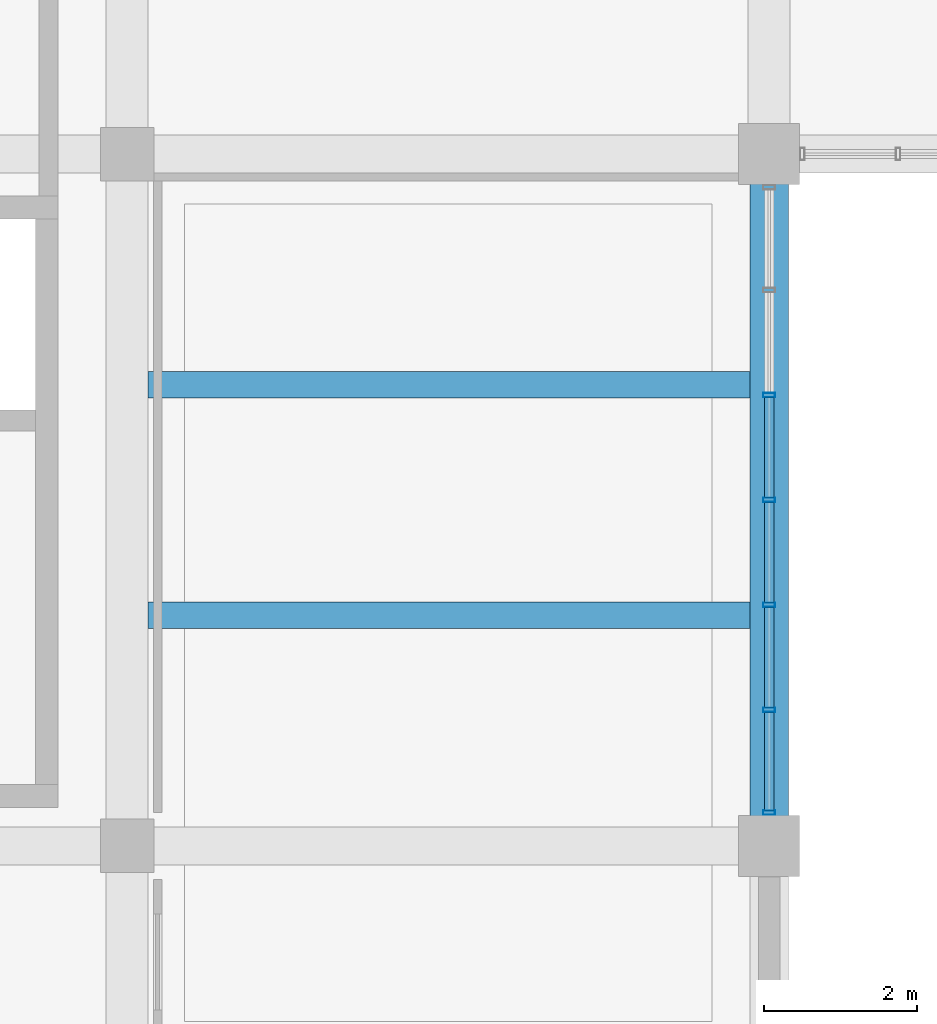
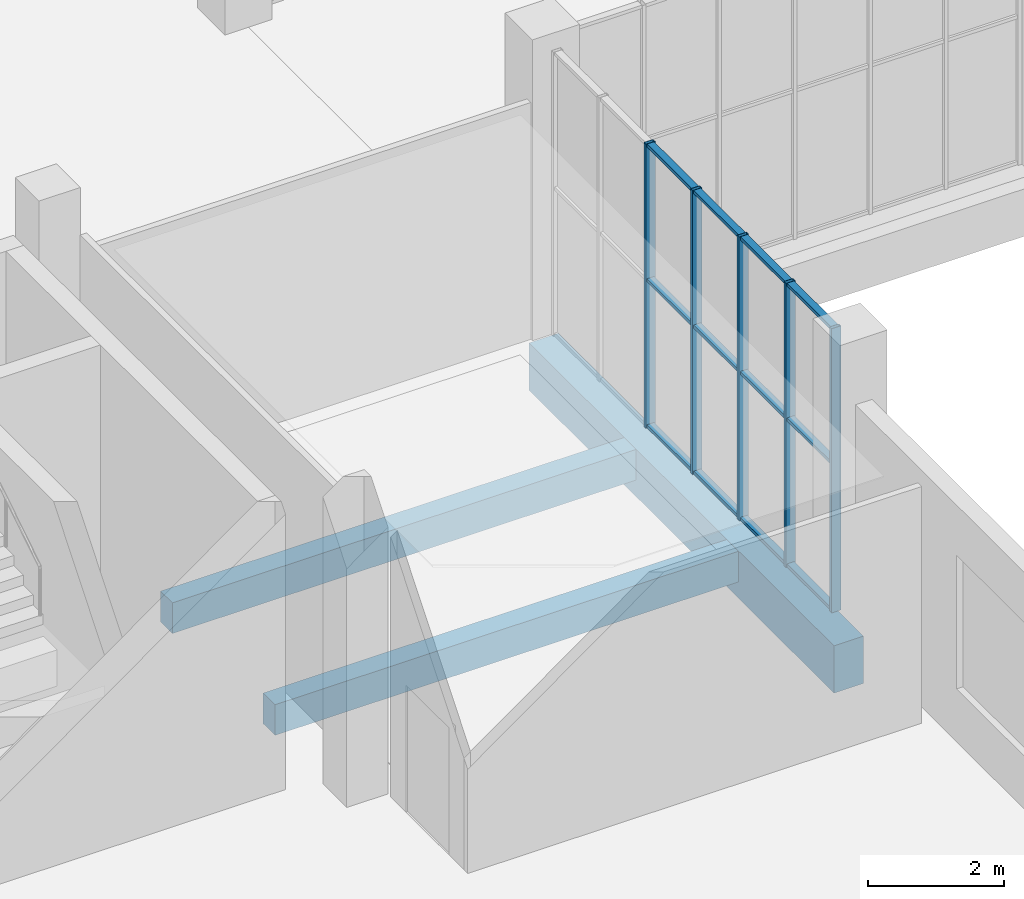
# One storey, part 34 of 132: 17 members, 3 beams, 1 element without a shape of its own.
"""IFC4 building model written with IfcOpenShell, lengths in metres."""

from ifc_helpers import new_model, si_unit, direction, frame, origin, origin_2d, place, context, subcontext, project, spatial, rectangle, hollow_rectangle, extrude, material, material_profile, profile_set, type_object, element, aggregate, save


model = new_model("IFC4")

# Units and contexts
model_context = context("Model", 3, precision=1e-05, world=origin(), true_north=direction((0.0, 1.0)))
body_context = subcontext(model_context, "Body", "Model", "MODEL_VIEW")
ifc_project = project(units=[si_unit("LENGTHUNIT", "METRE"), si_unit("AREAUNIT", "SQUARE_METRE"), si_unit("VOLUMEUNIT", "CUBIC_METRE"), si_unit("PLANEANGLEUNIT", "RADIAN"), si_unit("MASSUNIT", "GRAM", prefix="KILO")], contexts=[model_context])

# Site, building, storey
site_placement = place(None, origin())
site = spatial("IfcSite", under=ifc_project, at=site_placement, CompositionType="ELEMENT")
building_placement = place(site_placement, origin())
building = spatial("IfcBuilding", under=site, at=building_placement, Name="Khurvash Pelagic Aquarium", CompositionType="ELEMENT")
storey_placement = place(building_placement, frame((0.0, 0.0, 5.39990234375)))
storey = spatial("IfcBuildingStorey", under=building, at=storey_placement, Name="L01", CompositionType="ELEMENT", Elevation=5.39990234375)

# Curtain wall, members
ifc_material_1 = material(Name="Anodised aluminium and low-E laminated glass", Category="aluminium")
curtain_wall_type = type_object("IfcCurtainWallType", Name="CW-06", PredefinedType="USERDEFINED", material=ifc_material_1)
curtain_wall_placement = place(storey_placement, origin())
curtain_wall = element("IfcCurtainWall", 1, at=curtain_wall_placement, inside=storey, type_object=curtain_wall_type, Name="L01 Facade Unitised Curtain Wall CW-06 0108", ObjectType="UNITISED CURTAIN WALL", PredefinedType="USERDEFINED")
ifc_material_2 = material(Name="Extruded aluminium AW-6063-T6", Category="aluminium")
ifc_material_profile_1 = material_profile(ifc_material_2, hollow_rectangle(XDim=0.06005859375, YDim=0.159912109375, WallThickness=0.00390625, at=origin_2d()), Name="CWM60X160X4")
ifc_profile_set_1 = profile_set([ifc_material_profile_1], Name="Extruded aluminium AW-6063-T6")
member_type_1 = type_object("IfcMemberType", Name="CM-02", PredefinedType="MULLION", material=ifc_profile_set_1)
member_1_placement = place(storey_placement, frame((109.199951171875, 12.0849609375, 0.0), z_axis=(0.0, 0.0, 1.0), x_axis=(0.0, 1.0, 0.0)))
member_1 = element("IfcMember", 2, at=member_1_placement, type_object=member_type_1, Name="CW-06 mullion 1", PredefinedType="MULLION", context=body_context, shape_type="SweptSolid", body=[
    extrude(hollow_rectangle(XDim=0.06005859375, YDim=0.159912109375, WallThickness=0.00390625, at=origin_2d()), origin(), (0.0, 0.0, 1.0), 5.10009765625),
])
member_2_placement = place(storey_placement, frame((109.199951171875, 13.42822265625, 0.0), z_axis=(0.0, 0.0, 1.0), x_axis=(0.0, 1.0, 0.0)))
member_2 = element("IfcMember", 3, at=member_2_placement, type_object=member_type_1, Name="CW-06 mullion 2", PredefinedType="MULLION", context=body_context, shape_type="SweptSolid", body=[
    extrude(hollow_rectangle(XDim=0.06005859375, YDim=0.159912109375, WallThickness=0.00390625, at=origin_2d()), origin(), (0.0, 0.0, 1.0), 5.10009765625),
])
member_3_placement = place(storey_placement, frame((109.199951171875, 14.8017578125, 0.0), z_axis=(0.0, 0.0, 1.0), x_axis=(0.0, 1.0, 0.0)))
member_3 = element("IfcMember", 4, at=member_3_placement, type_object=member_type_1, Name="CW-06 mullion 3", PredefinedType="MULLION", context=body_context, shape_type="SweptSolid", body=[
    extrude(hollow_rectangle(XDim=0.06005859375, YDim=0.159912109375, WallThickness=0.00390625, at=origin_2d()), origin(), (0.0, 0.0, 1.0), 5.10009765625),
])
member_4_placement = place(storey_placement, frame((109.199951171875, 16.175048828125, 0.0), z_axis=(0.0, 0.0, 1.0), x_axis=(0.0, 1.0, 0.0)))
member_4 = element("IfcMember", 5, at=member_4_placement, type_object=member_type_1, Name="CW-06 mullion 4", PredefinedType="MULLION", context=body_context, shape_type="SweptSolid", body=[
    extrude(hollow_rectangle(XDim=0.06005859375, YDim=0.159912109375, WallThickness=0.00390625, at=origin_2d()), origin(), (0.0, 0.0, 1.0), 5.10009765625),
])
member_5_placement = place(storey_placement, frame((109.199951171875, 17.54833984375, 0.0), z_axis=(0.0, 0.0, 1.0), x_axis=(0.0, 1.0, 0.0)))
member_5 = element("IfcMember", 6, at=member_5_placement, type_object=member_type_1, Name="CW-06 mullion 5", PredefinedType="MULLION", context=body_context, shape_type="SweptSolid", body=[
    extrude(hollow_rectangle(XDim=0.06005859375, YDim=0.159912109375, WallThickness=0.00390625, at=origin_2d()), origin(), (0.0, 0.0, 1.0), 5.10009765625),
])
ifc_material_profile_2 = material_profile(ifc_material_2, hollow_rectangle(XDim=0.1201171875, YDim=0.06005859375, WallThickness=0.00390625, at=origin_2d()), Name="CWT120X60X4")
ifc_profile_set_2 = profile_set([ifc_material_profile_2], Name="Extruded aluminium AW-6063-T6")
member_type_2 = type_object("IfcMemberType", Name="CT-02", PredefinedType="USERDEFINED", material=ifc_profile_set_2)
member_6_placement = place(storey_placement, frame((109.199951171875, 12.114990234375, 0.030029296875), z_axis=(0.0, 1.0, 0.0), x_axis=(-1.0, 0.0, 0.0)))
member_6 = element("IfcMember", 7, at=member_6_placement, type_object=member_type_2, Name="CW-06 transom 1.1", ObjectType="TRANSOM", PredefinedType="USERDEFINED", context=body_context, shape_type="SweptSolid", body=[
    extrude(hollow_rectangle(XDim=0.1201171875, YDim=0.06005859375, WallThickness=0.00390625, at=origin_2d()), origin(), (0.0, 0.0, 1.0), 1.283447265625),
])
member_7_placement = place(storey_placement, frame((109.199951171875, 12.114990234375, 2.652099609375), z_axis=(0.0, 1.0, 0.0), x_axis=(-1.0, 0.0, 0.0)))
member_7 = element("IfcMember", 8, at=member_7_placement, type_object=member_type_2, Name="CW-06 transom 1.2", ObjectType="TRANSOM", PredefinedType="USERDEFINED", context=body_context, shape_type="SweptSolid", body=[
    extrude(hollow_rectangle(XDim=0.1201171875, YDim=0.06005859375, WallThickness=0.00390625, at=origin_2d()), origin(), (0.0, 0.0, 1.0), 1.283447265625),
])
member_8_placement = place(storey_placement, frame((109.199951171875, 12.114990234375, 5.070068359375), z_axis=(0.0, 1.0, 0.0), x_axis=(-1.0, 0.0, 0.0)))
member_8 = element("IfcMember", 9, at=member_8_placement, type_object=member_type_2, Name="CW-06 transom 1.3", ObjectType="TRANSOM", PredefinedType="USERDEFINED", context=body_context, shape_type="SweptSolid", body=[
    extrude(hollow_rectangle(XDim=0.1201171875, YDim=0.06005859375, WallThickness=0.00390625, at=origin_2d()), origin(), (0.0, 0.0, 1.0), 1.283447265625),
])
member_9_placement = place(storey_placement, frame((109.199951171875, 13.458251953125, 0.030029296875), z_axis=(0.0, 1.0, 0.0), x_axis=(-1.0, 0.0, 0.0)))
member_9 = element("IfcMember", 10, at=member_9_placement, type_object=member_type_2, Name="CW-06 transom 2.1", ObjectType="TRANSOM", PredefinedType="USERDEFINED", context=body_context, shape_type="SweptSolid", body=[
    extrude(hollow_rectangle(XDim=0.1201171875, YDim=0.06005859375, WallThickness=0.00390625, at=origin_2d()), origin(), (0.0, 0.0, 1.0), 1.3134765625),
])
member_10_placement = place(storey_placement, frame((109.199951171875, 13.458251953125, 2.652099609375), z_axis=(0.0, 1.0, 0.0), x_axis=(-1.0, 0.0, 0.0)))
member_10 = element("IfcMember", 11, at=member_10_placement, type_object=member_type_2, Name="CW-06 transom 2.2", ObjectType="TRANSOM", PredefinedType="USERDEFINED", context=body_context, shape_type="SweptSolid", body=[
    extrude(hollow_rectangle(XDim=0.1201171875, YDim=0.06005859375, WallThickness=0.00390625, at=origin_2d()), origin(), (0.0, 0.0, 1.0), 1.3134765625),
])
member_11_placement = place(storey_placement, frame((109.199951171875, 13.458251953125, 5.070068359375), z_axis=(0.0, 1.0, 0.0), x_axis=(-1.0, 0.0, 0.0)))
member_11 = element("IfcMember", 12, at=member_11_placement, type_object=member_type_2, Name="CW-06 transom 2.3", ObjectType="TRANSOM", PredefinedType="USERDEFINED", context=body_context, shape_type="SweptSolid", body=[
    extrude(hollow_rectangle(XDim=0.1201171875, YDim=0.06005859375, WallThickness=0.00390625, at=origin_2d()), origin(), (0.0, 0.0, 1.0), 1.3134765625),
])
member_12_placement = place(storey_placement, frame((109.199951171875, 14.831787109375, 0.030029296875), z_axis=(0.0, 1.0, 0.0), x_axis=(-1.0, 0.0, 0.0)))
member_12 = element("IfcMember", 13, at=member_12_placement, type_object=member_type_2, Name="CW-06 transom 3.1", ObjectType="TRANSOM", PredefinedType="USERDEFINED", context=body_context, shape_type="SweptSolid", body=[
    extrude(hollow_rectangle(XDim=0.1201171875, YDim=0.06005859375, WallThickness=0.00390625, at=origin_2d()), origin(), (0.0, 0.0, 1.0), 1.313232421875),
])
member_13_placement = place(storey_placement, frame((109.199951171875, 14.831787109375, 2.652099609375), z_axis=(0.0, 1.0, 0.0), x_axis=(-1.0, 0.0, 0.0)))
member_13 = element("IfcMember", 14, at=member_13_placement, type_object=member_type_2, Name="CW-06 transom 3.2", ObjectType="TRANSOM", PredefinedType="USERDEFINED", context=body_context, shape_type="SweptSolid", body=[
    extrude(hollow_rectangle(XDim=0.1201171875, YDim=0.06005859375, WallThickness=0.00390625, at=origin_2d()), origin(), (0.0, 0.0, 1.0), 1.313232421875),
])
member_14_placement = place(storey_placement, frame((109.199951171875, 14.831787109375, 5.070068359375), z_axis=(0.0, 1.0, 0.0), x_axis=(-1.0, 0.0, 0.0)))
member_14 = element("IfcMember", 15, at=member_14_placement, type_object=member_type_2, Name="CW-06 transom 3.3", ObjectType="TRANSOM", PredefinedType="USERDEFINED", context=body_context, shape_type="SweptSolid", body=[
    extrude(hollow_rectangle(XDim=0.1201171875, YDim=0.06005859375, WallThickness=0.00390625, at=origin_2d()), origin(), (0.0, 0.0, 1.0), 1.313232421875),
])
member_15_placement = place(storey_placement, frame((109.199951171875, 16.205078125, 0.030029296875), z_axis=(0.0, 1.0, 0.0), x_axis=(-1.0, 0.0, 0.0)))
member_15 = element("IfcMember", 16, at=member_15_placement, type_object=member_type_2, Name="CW-06 transom 4.1", ObjectType="TRANSOM", PredefinedType="USERDEFINED", context=body_context, shape_type="SweptSolid", body=[
    extrude(hollow_rectangle(XDim=0.1201171875, YDim=0.06005859375, WallThickness=0.00390625, at=origin_2d()), origin(), (0.0, 0.0, 1.0), 1.313232421875),
])
member_16_placement = place(storey_placement, frame((109.199951171875, 16.205078125, 2.652099609375), z_axis=(0.0, 1.0, 0.0), x_axis=(-1.0, 0.0, 0.0)))
member_16 = element("IfcMember", 17, at=member_16_placement, type_object=member_type_2, Name="CW-06 transom 4.2", ObjectType="TRANSOM", PredefinedType="USERDEFINED", context=body_context, shape_type="SweptSolid", body=[
    extrude(hollow_rectangle(XDim=0.1201171875, YDim=0.06005859375, WallThickness=0.00390625, at=origin_2d()), origin(), (0.0, 0.0, 1.0), 1.313232421875),
])
member_17_placement = place(storey_placement, frame((109.199951171875, 16.205078125, 5.070068359375), z_axis=(0.0, 1.0, 0.0), x_axis=(-1.0, 0.0, 0.0)))
member_17 = element("IfcMember", 18, at=member_17_placement, type_object=member_type_2, Name="CW-06 transom 4.3", ObjectType="TRANSOM", PredefinedType="USERDEFINED", context=body_context, shape_type="SweptSolid", body=[
    extrude(hollow_rectangle(XDim=0.1201171875, YDim=0.06005859375, WallThickness=0.00390625, at=origin_2d()), origin(), (0.0, 0.0, 1.0), 1.313232421875),
])
aggregate(curtain_wall, [member_1, member_2, member_3, member_4, member_5, member_6, member_7, member_8, member_9, member_10, member_11, member_12, member_13, member_14, member_15, member_16, member_17])

# Beams
ifc_material_3 = material(Name="Concrete C35/45", Category="concrete")
ifc_material_profile_3 = material_profile(ifc_material_3, rectangle(XDim=0.35009765625, YDim=0.550048828125, at=origin_2d()), Name="RC350X550")
ifc_profile_set_3 = profile_set([ifc_material_profile_3], Name="Concrete C35/45")
beam_type_1 = type_object("IfcBeamType", Name="JS-01", PredefinedType="JOIST", material=ifc_profile_set_3)
for number, where, z_axis, x_axis, name in (
    (19, (101.074951171875, 14.6669921875, -0.5849609375), (1.0, 0.0, 0.0), (0.0, 1.0, 0.0), "L01 Floor Joist JS-01 00542"),
    (20, (101.074951171875, 17.68310546875, -0.5849609375), (1.0, 0.0, 0.0), (0.0, 1.0, 0.0), "L01 Floor Joist JS-01 00543"),
):
    element("IfcBeam", number, at=place(storey_placement, frame(where, z_axis=z_axis, x_axis=x_axis)), inside=storey, type_object=beam_type_1, Name=name, PredefinedType="JOIST", context=body_context, shape_type="SweptSolid", body=[
        extrude(rectangle(XDim=0.35009765625, YDim=0.550048828125, at=origin_2d()), origin(), (0.0, 0.0, 1.0), 7.875),
    ])
ifc_material_4 = material(Name="Concrete C40/50", Category="concrete")
ifc_material_profile_4 = material_profile(ifc_material_4, rectangle(XDim=0.5, YDim=0.85009765625, at=origin_2d()), Name="RC500X850")
ifc_profile_set_4 = profile_set([ifc_material_profile_4], Name="Concrete C40/50")
beam_type_2 = type_object("IfcBeamType", Name="SEB-03", PredefinedType="SPANDREL", material=ifc_profile_set_4)
beam_placement = place(storey_placement, frame((109.199951171875, 11.68994140625, -0.73486328125), z_axis=(0.0, 1.0, 0.0), x_axis=(-1.0, 0.0, 0.0)))
element("IfcBeam", 21, at=beam_placement, inside=storey, type_object=beam_type_2, Name="L01 Primary Girder SEB-03 00419", PredefinedType="SPANDREL", context=body_context, shape_type="SweptSolid", body=[
    extrude(rectangle(XDim=0.5, YDim=0.85009765625, at=origin_2d()), origin(), (0.0, 0.0, 1.0), 8.969970703125),
])

save(model, "model.ifc")
